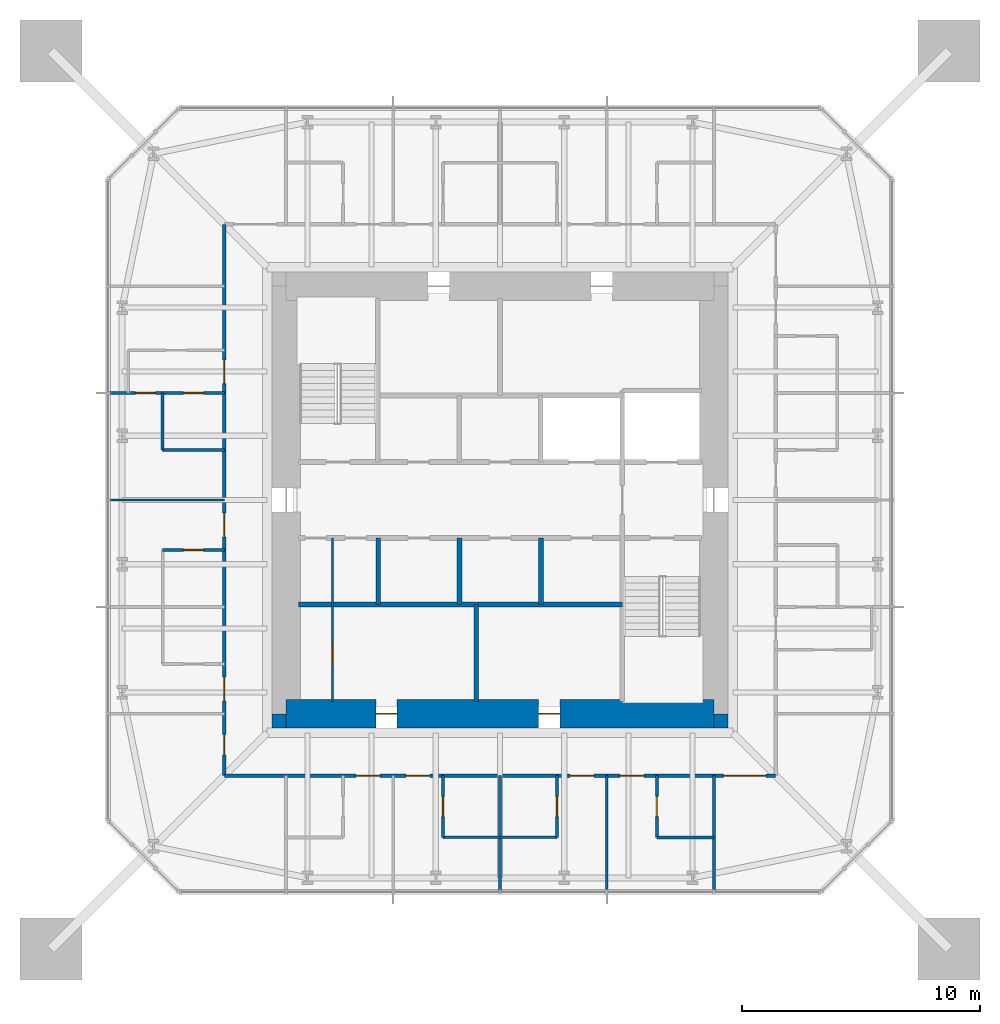
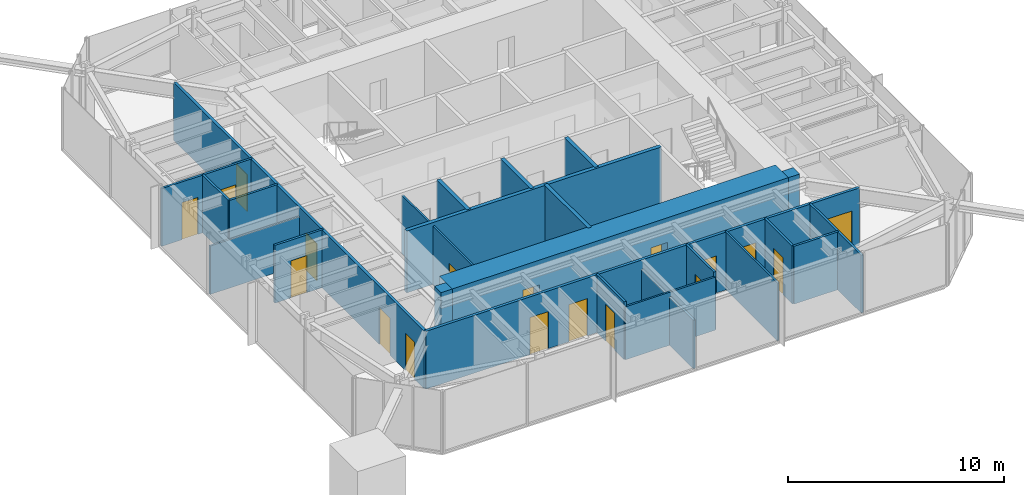
# One storey, part 6 of 10: 24 walls, 18 doors, 18 openings.
"""IFC4 building model written with IfcOpenShell, lengths in metres."""

from ifc_helpers import new_model, si_unit, direction, frame, frame_2d, origin, place, context, subcontext, project, spatial, rectangle, extrude, material, layer, layer_set, type_object, element, fill, save


model = new_model("IFC4")

# Units and contexts
model_context = context("Model", 3, precision=1e-05, world=origin(), true_north=direction((0.0, 1.0)))
body_context = subcontext(model_context, "Body", "Model", "MODEL_VIEW")
ifc_project = project(units=[si_unit("LENGTHUNIT", "METRE"), si_unit("AREAUNIT", "SQUARE_METRE"), si_unit("VOLUMEUNIT", "CUBIC_METRE"), si_unit("PLANEANGLEUNIT", "RADIAN"), si_unit("MASSUNIT", "GRAM", prefix="KILO")], contexts=[model_context])

# Site, building, storey
site_placement = place(None, origin())
site = spatial("IfcSite", under=ifc_project, at=site_placement, CompositionType="ELEMENT")
building_placement = place(site_placement, origin())
building = spatial("IfcBuilding", under=site, at=building_placement, Name="Iwan Alto Co-Living Towers", CompositionType="ELEMENT")
storey_placement = place(building_placement, frame((0.0, 0.0, 218.5)))
storey = spatial("IfcBuildingStorey", under=building, at=storey_placement, Name="L59", CompositionType="ELEMENT", Elevation=218.5)

# Wall, openings, doors
ifc_material_1 = material(Name="Gypsum board")
ifc_layer_1 = layer(ifc_material_1, 0.02490234375, Name="Board", Category="Finish")
ifc_material_2 = material(Name="Steel ASTM A1003 ST33H cold-formed studs", Category="steel")
ifc_layer_2 = layer(ifc_material_2, 0.10009765625, Name="Studs", Category="Framing")
ifc_layer_3 = layer(ifc_material_1, 0.02490234375, Name="Board", Category="Finish")
ifc_layer_set_1 = layer_set([ifc_layer_1, ifc_layer_2, ifc_layer_3], Name="CORRIDOR WALL 150")
wall_type_1 = type_object("IfcWallType", Name="CORRIDOR WALL 150", PredefinedType="PARTITIONING", material=ifc_layer_set_1)
wall_1_placement = place(storey_placement, frame((-11.60009765625, -11.60009765625, 0.0), z_axis=(0.0, 0.0, 1.0), x_axis=(1.0, 0.0, 0.0)))
wall_1 = element("IfcWall", 1, at=wall_1_placement, inside=storey, type_object=wall_type_1, Name="Partition L59", PredefinedType="PARTITIONING", context=body_context, shape_type="SweptSolid", body=[
    extrude(rectangle(XDim=23.2001953125, YDim=0.14990234375, at=frame_2d((11.60009765625, 0.0))), origin(), (0.0, 0.0, 1.0), 3.27001953125),
])
opening_1_placement = place(wall_1_placement, frame((5.550048828125, 0.0, 0.0)))
opening_1 = element("IfcOpeningElement", 2, at=opening_1_placement, cuts=wall_1, Name="Opening D3", PredefinedType="OPENING", context=body_context, shape_type="SweptSolid", body=[
    extrude(rectangle(XDim=1.0, YDim=2.10009765625, at=frame_2d((0.5, 1.050048828125))), frame((0.0, 0.0849609375, 0.0), z_axis=(0.0, -1.0, 0.0), x_axis=(1.0, 0.0, 0.0)), (0.0, 0.0, 1.0), 0.169921875),
])
opening_2_placement = place(wall_1_placement, frame((7.64990234375, 0.0, 0.0)))
opening_2 = element("IfcOpeningElement", 3, at=opening_2_placement, cuts=wall_1, Name="Opening D3", PredefinedType="OPENING", context=body_context, shape_type="SweptSolid", body=[
    extrude(rectangle(XDim=1.0, YDim=2.10009765625, at=frame_2d((0.5, 1.050048828125))), frame((0.0, 0.0849609375, 0.0), z_axis=(0.0, -1.0, 0.0), x_axis=(1.0, 0.0, 0.0)), (0.0, 0.0, 1.0), 0.169921875),
])
opening_3_placement = place(wall_1_placement, frame((14.550048828125, 0.0, 0.0)))
opening_3 = element("IfcOpeningElement", 4, at=opening_3_placement, cuts=wall_1, Name="Opening D3", PredefinedType="OPENING", context=body_context, shape_type="SweptSolid", body=[
    extrude(rectangle(XDim=1.0, YDim=2.10009765625, at=frame_2d((0.5, 1.050048828125))), frame((0.0, 0.0849609375, 0.0), z_axis=(0.0, -1.0, 0.0), x_axis=(1.0, 0.0, 0.0)), (0.0, 0.0, 1.0), 0.169921875),
])
opening_4_placement = place(wall_1_placement, frame((16.64990234375, 0.0, 0.0)))
opening_4 = element("IfcOpeningElement", 5, at=opening_4_placement, cuts=wall_1, Name="Opening D3", PredefinedType="OPENING", context=body_context, shape_type="SweptSolid", body=[
    extrude(rectangle(XDim=1.0, YDim=2.10009765625, at=frame_2d((0.5, 1.050048828125))), frame((0.0, 0.0849609375, 0.0), z_axis=(0.0, -1.0, 0.0), x_axis=(1.0, 0.0, 0.0)), (0.0, 0.0, 1.0), 0.169921875),
])
opening_5_placement = place(wall_1_placement, frame((21.0, 0.0, 0.0)))
opening_5 = element("IfcOpeningElement", 6, at=opening_5_placement, cuts=wall_1, Name="Opening D9", PredefinedType="OPENING", context=body_context, shape_type="SweptSolid", body=[
    extrude(rectangle(XDim=1.800048828125, YDim=2.10009765625, at=frame_2d((0.89990234375, 1.050048828125))), frame((0.0, 0.0849609375, 0.0), z_axis=(0.0, -1.0, 0.0), x_axis=(1.0, 0.0, 0.0)), (0.0, 0.0, 1.0), 0.169921875),
])
ifc_material_3 = material(Name="Steel frame with timber leaf", Category="steel")
door_type_1 = type_object("IfcDoorType", Name="FLAT ENTRANCE DOOR FD30S 1000X2100", OperationType="SINGLE_SWING_LEFT", PredefinedType="DOOR", material=ifc_material_3)
door_1_placement = place(opening_1_placement, frame((1.0, 0.0, 0.0), z_axis=(0.0, 0.0, 1.0), x_axis=(-1.0, 0.0, 0.0)))
door_1 = element("IfcDoor", 7, at=door_1_placement, inside=storey, type_object=door_type_1, Name="Studio door L59", OperationType="SINGLE_SWING_RIGHT", OverallHeight=2.10009765625, OverallWidth=1.0, PredefinedType="DOOR", context=body_context, shape_type="SweptSolid", body=[
    extrude(rectangle(XDim=1.0, YDim=2.10009765625, at=frame_2d((0.5, 1.050048828125))), frame((0.0, 0.02490234375, 0.0), z_axis=(0.0, -1.0, 0.0), x_axis=(1.0, 0.0, 0.0)), (0.0, 0.0, 1.0), 0.050048828125),
])
fill(opening_1, door_1)
door_2_placement = place(opening_2_placement, frame((1.0, 0.0, 0.0), z_axis=(0.0, 0.0, 1.0), x_axis=(-1.0, 0.0, 0.0)))
door_2 = element("IfcDoor", 8, at=door_2_placement, inside=storey, type_object=door_type_1, Name="Studio door L59", OperationType="SINGLE_SWING_RIGHT", OverallHeight=2.10009765625, OverallWidth=1.0, PredefinedType="DOOR", context=body_context, shape_type="SweptSolid", body=[
    extrude(rectangle(XDim=1.0, YDim=2.10009765625, at=frame_2d((0.5, 1.050048828125))), frame((0.0, 0.02490234375, 0.0), z_axis=(0.0, -1.0, 0.0), x_axis=(1.0, 0.0, 0.0)), (0.0, 0.0, 1.0), 0.050048828125),
])
fill(opening_2, door_2)
door_3_placement = place(opening_3_placement, frame((1.0, 0.0, 0.0), z_axis=(0.0, 0.0, 1.0), x_axis=(-1.0, 0.0, 0.0)))
door_3 = element("IfcDoor", 9, at=door_3_placement, inside=storey, type_object=door_type_1, Name="Studio door L59", OperationType="SINGLE_SWING_RIGHT", OverallHeight=2.10009765625, OverallWidth=1.0, PredefinedType="DOOR", context=body_context, shape_type="SweptSolid", body=[
    extrude(rectangle(XDim=1.0, YDim=2.10009765625, at=frame_2d((0.5, 1.050048828125))), frame((0.0, 0.02490234375, 0.0), z_axis=(0.0, -1.0, 0.0), x_axis=(1.0, 0.0, 0.0)), (0.0, 0.0, 1.0), 0.050048828125),
])
fill(opening_3, door_3)
door_4_placement = place(opening_4_placement, frame((1.0, 0.0, 0.0), z_axis=(0.0, 0.0, 1.0), x_axis=(-1.0, 0.0, 0.0)))
door_4 = element("IfcDoor", 10, at=door_4_placement, inside=storey, type_object=door_type_1, Name="Studio door L59", OperationType="SINGLE_SWING_RIGHT", OverallHeight=2.10009765625, OverallWidth=1.0, PredefinedType="DOOR", context=body_context, shape_type="SweptSolid", body=[
    extrude(rectangle(XDim=1.0, YDim=2.10009765625, at=frame_2d((0.5, 1.050048828125))), frame((0.0, 0.02490234375, 0.0), z_axis=(0.0, -1.0, 0.0), x_axis=(1.0, 0.0, 0.0)), (0.0, 0.0, 1.0), 0.050048828125),
])
fill(opening_4, door_4)
ifc_material_4 = material(Name="Steel frame with timber leaf", Category="steel")
door_type_2 = type_object("IfcDoorType", Name="LOUNGE DOOR FD30S 1800X2100", OperationType="DOUBLE_DOOR_SINGLE_SWING", PredefinedType="DOOR", material=ifc_material_4)
door_5_placement = place(opening_5_placement, frame((1.800048828125, 0.0, 0.0), z_axis=(0.0, 0.0, 1.0), x_axis=(-1.0, 0.0, 0.0)))
door_5 = element("IfcDoor", 11, at=door_5_placement, inside=storey, type_object=door_type_2, Name="Courtyard lounge door L59", OperationType="DOUBLE_DOOR_SINGLE_SWING", OverallHeight=2.10009765625, OverallWidth=1.800048828125, PredefinedType="DOOR", context=body_context, shape_type="SweptSolid", body=[
    extrude(rectangle(XDim=1.800048828125, YDim=2.10009765625, at=frame_2d((0.89990234375, 1.050048828125))), frame((0.0, 0.02490234375, 0.0), z_axis=(0.0, -1.0, 0.0), x_axis=(1.0, 0.0, 0.0)), (0.0, 0.0, 1.0), 0.050048828125),
])
fill(opening_5, door_5)

wall_2_placement = place(storey_placement, frame((-11.60009765625, -11.60009765625, 0.0), z_axis=(0.0, 0.0, 1.0), x_axis=(0.0, 1.0, 0.0)))
wall_2 = element("IfcWall", 12, at=wall_2_placement, inside=storey, type_object=wall_type_1, Name="Partition L59", PredefinedType="PARTITIONING", context=body_context, shape_type="SweptSolid", body=[
    extrude(rectangle(XDim=23.2001953125, YDim=0.14990234375, at=frame_2d((11.60009765625, 0.0))), origin(), (0.0, 0.0, 1.0), 3.27001953125),
])
opening_6_placement = place(wall_2_placement, frame((16.5, 0.0, 0.0)))
opening_6 = element("IfcOpeningElement", 13, at=opening_6_placement, cuts=wall_2, Name="Opening D3", PredefinedType="OPENING", context=body_context, shape_type="SweptSolid", body=[
    extrude(rectangle(XDim=1.0, YDim=2.10009765625, at=frame_2d((0.5, 1.050048828125))), frame((0.0, 0.0849609375, 0.0), z_axis=(0.0, -1.0, 0.0), x_axis=(1.0, 0.0, 0.0)), (0.0, 0.0, 1.0), 0.169921875),
])
opening_7_placement = place(wall_2_placement, frame((10.050048828125, 0.0, 0.0)))
opening_7 = element("IfcOpeningElement", 14, at=opening_7_placement, cuts=wall_2, Name="Opening D3", PredefinedType="OPENING", context=body_context, shape_type="SweptSolid", body=[
    extrude(rectangle(XDim=1.0, YDim=2.10009765625, at=frame_2d((0.5, 1.050048828125))), frame((0.0, 0.0849609375, 0.0), z_axis=(0.0, -1.0, 0.0), x_axis=(1.0, 0.0, 0.0)), (0.0, 0.0, 1.0), 0.169921875),
])
opening_8_placement = place(wall_2_placement, frame((3.14990234375, 0.0, 0.0)))
opening_8 = element("IfcOpeningElement", 15, at=opening_8_placement, cuts=wall_2, Name="Opening D3", PredefinedType="OPENING", context=body_context, shape_type="SweptSolid", body=[
    extrude(rectangle(XDim=1.0, YDim=2.10009765625, at=frame_2d((0.5, 1.050048828125))), frame((0.0, 0.0849609375, 0.0), z_axis=(0.0, -1.0, 0.0), x_axis=(1.0, 0.0, 0.0)), (0.0, 0.0, 1.0), 0.169921875),
])
opening_9_placement = place(wall_2_placement, frame((0.875, 0.0, 0.0)))
opening_9 = element("IfcOpeningElement", 16, at=opening_9_placement, cuts=wall_2, Name="Opening D2", PredefinedType="OPENING", context=body_context, shape_type="SweptSolid", body=[
    extrude(rectangle(XDim=0.85009765625, YDim=2.10009765625, at=frame_2d((0.425048828125, 1.050048828125))), frame((0.0, 0.0849609375, 0.0), z_axis=(0.0, -1.0, 0.0), x_axis=(1.0, 0.0, 0.0)), (0.0, 0.0, 1.0), 0.169921875),
])
door_6_placement = place(opening_6_placement, origin())
door_6 = element("IfcDoor", 17, at=door_6_placement, inside=storey, type_object=door_type_1, Name="Apartment foyer door L59", OperationType="SINGLE_SWING_LEFT", OverallHeight=2.10009765625, OverallWidth=1.0, PredefinedType="DOOR", context=body_context, shape_type="SweptSolid", body=[
    extrude(rectangle(XDim=1.0, YDim=2.10009765625, at=frame_2d((0.5, 1.050048828125))), frame((0.0, 0.02490234375, 0.0), z_axis=(0.0, -1.0, 0.0), x_axis=(1.0, 0.0, 0.0)), (0.0, 0.0, 1.0), 0.050048828125),
])
fill(opening_6, door_6)
door_7_placement = place(opening_7_placement, origin())
door_7 = element("IfcDoor", 18, at=door_7_placement, inside=storey, type_object=door_type_1, Name="Studio door L59", OperationType="SINGLE_SWING_LEFT", OverallHeight=2.10009765625, OverallWidth=1.0, PredefinedType="DOOR", context=body_context, shape_type="SweptSolid", body=[
    extrude(rectangle(XDim=1.0, YDim=2.10009765625, at=frame_2d((0.5, 1.050048828125))), frame((0.0, 0.02490234375, 0.0), z_axis=(0.0, -1.0, 0.0), x_axis=(1.0, 0.0, 0.0)), (0.0, 0.0, 1.0), 0.050048828125),
])
fill(opening_7, door_7)
door_8_placement = place(opening_8_placement, origin())
door_8 = element("IfcDoor", 19, at=door_8_placement, inside=storey, type_object=door_type_1, Name="Studio door L59", OperationType="SINGLE_SWING_LEFT", OverallHeight=2.10009765625, OverallWidth=1.0, PredefinedType="DOOR", context=body_context, shape_type="SweptSolid", body=[
    extrude(rectangle(XDim=1.0, YDim=2.10009765625, at=frame_2d((0.5, 1.050048828125))), frame((0.0, 0.02490234375, 0.0), z_axis=(0.0, -1.0, 0.0), x_axis=(1.0, 0.0, 0.0)), (0.0, 0.0, 1.0), 0.050048828125),
])
fill(opening_8, door_8)
ifc_material_5 = material(Name="Timber leaf in steel frame", Category="steel")
door_type_3 = type_object("IfcDoorType", Name="ROOM DOOR 850X2100", OperationType="SINGLE_SWING_LEFT", PredefinedType="DOOR", material=ifc_material_5)
door_9_placement = place(opening_9_placement, origin())
door_9 = element("IfcDoor", 20, at=door_9_placement, inside=storey, type_object=door_type_3, Name="Shared kitchen and lounge door L59", OperationType="SINGLE_SWING_RIGHT", OverallHeight=2.10009765625, OverallWidth=0.85009765625, PredefinedType="DOOR", context=body_context, shape_type="SweptSolid", body=[
    extrude(rectangle(XDim=0.85009765625, YDim=2.10009765625, at=frame_2d((0.425048828125, 1.050048828125))), frame((0.0, 0.02490234375, 0.0), z_axis=(0.0, -1.0, 0.0), x_axis=(1.0, 0.0, 0.0)), (0.0, 0.0, 1.0), 0.050048828125),
])
fill(opening_9, door_9)

# Walls
ifc_layer_4 = layer(ifc_material_1, 0.012451171875, Name="Board", Category="Finish")
ifc_layer_5 = layer(ifc_material_2, 0.074951171875, Name="Studs", Category="Framing")
ifc_layer_6 = layer(ifc_material_1, 0.012451171875, Name="Board", Category="Finish")
ifc_layer_set_2 = layer_set([ifc_layer_4, ifc_layer_5, ifc_layer_6], Name="PARTITION 100")
wall_type_2 = type_object("IfcWallType", Name="PARTITION 100", PredefinedType="PARTITIONING", material=ifc_layer_set_2)
wall_3_placement = place(storey_placement, frame((-2.39990234375, -14.199951171875, 0.0), z_axis=(0.0, 0.0, 1.0), x_axis=(1.0, 0.0, 0.0)))
element("IfcWall", 21, at=wall_3_placement, inside=storey, type_object=wall_type_2, Name="Partition L59", PredefinedType="PARTITIONING", context=body_context, shape_type="SweptSolid", body=[
    extrude(rectangle(XDim=4.7998046875, YDim=0.10009765625, at=frame_2d((2.39990234375, 0.0))), origin(), (0.0, 0.0, 1.0), 3.0),
])
wall_4_placement = place(storey_placement, frame((-16.43994140625, 0.0, 0.0), z_axis=(0.0, 0.0, 1.0), x_axis=(1.0, 0.0, 0.0)))
element("IfcWall", 22, at=wall_4_placement, inside=storey, type_object=wall_type_2, Name="Partition L59", PredefinedType="PARTITIONING", context=body_context, shape_type="SweptSolid", body=[
    extrude(rectangle(XDim=4.83984375, YDim=0.10009765625, at=frame_2d((2.419921875, 0.0))), origin(), (0.0, 0.0, 1.0), 2.736572265625),
])
wall_5_placement = place(storey_placement, frame((4.5, -16.43994140625, 0.0), z_axis=(0.0, 0.0, 1.0), x_axis=(0.0, 1.0, 0.0)))
element("IfcWall", 23, at=wall_5_placement, inside=storey, type_object=wall_type_2, Name="Partition L59", PredefinedType="PARTITIONING", context=body_context, shape_type="SweptSolid", body=[
    extrude(rectangle(XDim=4.83984375, YDim=0.10009765625, at=frame_2d((2.419921875, 0.0))), origin(), (0.0, 0.0, 1.0), 3.27001953125),
])

# Wall, opening, door
wall_6_placement = place(storey_placement, frame((-7.050048828125, -8.489990234375, 0.0), z_axis=(0.0, 0.0, 1.0), x_axis=(0.0, 1.0, 0.0)))
wall_6 = element("IfcWall", 24, at=wall_6_placement, inside=storey, type_object=wall_type_2, Name="Partition L59", PredefinedType="PARTITIONING", context=body_context, shape_type="SweptSolid", body=[
    extrude(rectangle(XDim=6.889892578125, YDim=0.10009765625, at=frame_2d((3.44482421875, 0.0))), origin(), (0.0, 0.0, 1.0), 3.300048828125),
])
opening_10_placement = place(wall_6_placement, frame((1.594970703125, 0.0, 0.0)))
opening_10 = element("IfcOpeningElement", 25, at=opening_10_placement, cuts=wall_6, Name="Opening D16", PredefinedType="OPENING", context=body_context, shape_type="SweptSolid", body=[
    extrude(rectangle(XDim=0.89990234375, YDim=2.10009765625, at=frame_2d((0.449951171875, 1.050048828125))), frame((0.0, 0.06005859375, 0.0), z_axis=(0.0, -1.0, 0.0), x_axis=(1.0, 0.0, 0.0)), (0.0, 0.0, 1.0), 0.1201171875),
])
ifc_material_6 = material(Name="Timber leaf in steel frame", Category="steel")
door_type_4 = type_object("IfcDoorType", Name="CUPBOARD SLIDING DOOR 900X2100", OperationType="SLIDING_TO_LEFT", PredefinedType="DOOR", material=ifc_material_6)
door_10_placement = place(opening_10_placement, origin())
door_10 = element("IfcDoor", 26, at=door_10_placement, inside=storey, type_object=door_type_4, Name="Bulky waste store door L59", OperationType="SLIDING_TO_RIGHT", OverallHeight=2.10009765625, OverallWidth=0.89990234375, PredefinedType="DOOR", context=body_context, shape_type="SweptSolid", body=[
    extrude(rectangle(XDim=0.89990234375, YDim=2.10009765625, at=frame_2d((0.449951171875, 1.050048828125))), frame((0.0, 0.02490234375, 0.0), z_axis=(0.0, -1.0, 0.0), x_axis=(1.0, 0.0, 0.0)), (0.0, 0.0, 1.0), 0.050048828125),
])
fill(opening_10, door_10)

# Walls
ifc_material_7 = material(Name="Concrete f'c 70 MPa", Category="concrete")
ifc_layer_7 = layer(ifc_material_7, 0.199951171875)
ifc_layer_set_3 = layer_set([ifc_layer_7], Name="SHAFT WALL 200")
wall_type_3 = type_object("IfcWallType", Name="SHAFT WALL 200", PredefinedType="SOLIDWALL", material=ifc_layer_set_3)
wall_7_placement = place(storey_placement, frame((-8.489990234375, -4.39990234375, 0.0), z_axis=(0.0, 0.0, 1.0), x_axis=(1.0, 0.0, 0.0)))
element("IfcWall", 27, at=wall_7_placement, inside=storey, type_object=wall_type_3, Name="Shaft wall L59", PredefinedType="SOLIDWALL", context=body_context, shape_type="SweptSolid", body=[
    extrude(rectangle(XDim=13.639892578125, YDim=0.199951171875, at=frame_2d((6.81982421875, 0.0))), origin(), (0.0, 0.0, 1.0), 3.5),
])
wall_8_placement = place(storey_placement, frame((1.72509765625, -4.39990234375, 0.0), z_axis=(0.0, 0.0, 1.0), x_axis=(0.0, 1.0, 0.0)))
element("IfcWall", 28, at=wall_8_placement, inside=storey, type_object=wall_type_3, Name="Shaft wall L59", PredefinedType="SOLIDWALL", context=body_context, shape_type="SweptSolid", body=[
    extrude(rectangle(XDim=2.7998046875, YDim=0.199951171875, at=frame_2d((1.39990234375, 0.0))), origin(), (0.0, 0.0, 1.0), 3.5),
])
wall_9_placement = place(storey_placement, frame((-1.0, -8.489990234375, 0.0), z_axis=(0.0, 0.0, 1.0), x_axis=(0.0, 1.0, 0.0)))
element("IfcWall", 29, at=wall_9_placement, inside=storey, type_object=wall_type_3, Name="Shaft wall L59", PredefinedType="SOLIDWALL", context=body_context, shape_type="SweptSolid", body=[
    extrude(rectangle(XDim=4.090087890625, YDim=0.199951171875, at=frame_2d((2.044921875, 0.0))), origin(), (0.0, 0.0, 1.0), 3.5),
])
for number, where, z_axis, x_axis, name in (
    (30, (-1.699951171875, -4.39990234375, 0.0), (0.0, 0.0, 1.0), (0.0, 1.0, 0.0), "Shaft wall L59"),
    (31, (-5.125, -4.39990234375, 0.0), (0.0, 0.0, 1.0), (0.0, 1.0, 0.0), "Shaft wall L59"),
):
    element("IfcWall", number, at=place(storey_placement, frame(where, z_axis=z_axis, x_axis=x_axis)), inside=storey, type_object=wall_type_3, Name=name, PredefinedType="SOLIDWALL", context=body_context, shape_type="SweptSolid", body=[
        extrude(rectangle(XDim=2.7998046875, YDim=0.199951171875, at=frame_2d((1.39990234375, 0.0))), origin(), (0.0, 0.0, 1.0), 3.5),
    ])
ifc_material_8 = material(Name="Concrete f'c 70 MPa", Category="concrete")
ifc_layer_8 = layer(ifc_material_8, 0.60009765625)
ifc_layer_set_4 = layer_set([ifc_layer_8], Name="T1 CORE CORNER FILL 600")
wall_type_4 = type_object("IfcWallType", Name="T1 CORE CORNER FILL 600", PredefinedType="SOLIDWALL", material=ifc_layer_set_4)
for number, where, z_axis, x_axis, name in (
    (32, (-9.60009765625, -9.300048828125, 0.0), (0.0, 0.0, 1.0), (1.0, 0.0, 0.0), "T1 core corner SW L59"),
    (33, (9.0, -9.300048828125, 0.0), (0.0, 0.0, 1.0), (1.0, 0.0, 0.0), "T1 core corner SE L59"),
):
    element("IfcWall", number, at=place(storey_placement, frame(where, z_axis=z_axis, x_axis=x_axis)), inside=storey, type_object=wall_type_4, Name=name, PredefinedType="SOLIDWALL", context=body_context, shape_type="SweptSolid", body=[
        extrude(rectangle(XDim=0.60009765625, YDim=0.60009765625, at=frame_2d((0.300048828125, 0.0))), origin(), (0.0, 0.0, 1.0), 3.5),
    ])

# Wall, openings, doors
ifc_material_9 = material(Name="Concrete f'c 70 MPa", Category="concrete")
ifc_layer_9 = layer(ifc_material_9, 1.199951171875)
ifc_layer_set_5 = layer_set([ifc_layer_9], Name="T1 CORE WALL 1200")
wall_type_5 = type_object("IfcWallType", Name="T1 CORE WALL 1200", PredefinedType="SHEAR", material=ifc_layer_set_5)
wall_10_placement = place(storey_placement, frame((-9.0, -9.0, 0.0), z_axis=(0.0, 0.0, 1.0), x_axis=(1.0, 0.0, 0.0)))
wall_10 = element("IfcWall", 34, at=wall_10_placement, inside=storey, type_object=wall_type_5, Name="T1 core wall S L59", PredefinedType="SHEAR", context=body_context, shape_type="SweptSolid", body=[
    extrude(rectangle(XDim=18.0, YDim=1.199951171875, at=frame_2d((9.0, 0.0))), origin(), (0.0, 0.0, 1.0), 3.5),
])
opening_11_placement = place(wall_10_placement, frame((3.77490234375, 0.0, 0.0)))
opening_11 = element("IfcOpeningElement", 35, at=opening_11_placement, cuts=wall_10, Name="Opening D8", PredefinedType="OPENING", context=body_context, shape_type="SweptSolid", body=[
    extrude(rectangle(XDim=0.89990234375, YDim=2.10009765625, at=frame_2d((0.449951171875, 1.050048828125))), frame((0.0, 0.60986328125, 0.0), z_axis=(0.0, -1.0, 0.0), x_axis=(1.0, 0.0, 0.0)), (0.0, 0.0, 1.0), 1.219970703125),
])
opening_12_placement = place(wall_10_placement, frame((10.625, 0.0, 0.0)))
opening_12 = element("IfcOpeningElement", 36, at=opening_12_placement, cuts=wall_10, Name="Opening D8", PredefinedType="OPENING", context=body_context, shape_type="SweptSolid", body=[
    extrude(rectangle(XDim=0.89990234375, YDim=2.10009765625, at=frame_2d((0.449951171875, 1.050048828125))), frame((0.0, 0.60986328125, 0.0), z_axis=(0.0, -1.0, 0.0), x_axis=(1.0, 0.0, 0.0)), (0.0, 0.0, 1.0), 1.219970703125),
])
ifc_material_10 = material(Name="Steel frame with timber leaf", Category="steel")
door_type_5 = type_object("IfcDoorType", Name="RISER DOOR FD120 900X2100", OperationType="SINGLE_SWING_LEFT", PredefinedType="DOOR", material=ifc_material_10)
door_11_placement = place(opening_11_placement, origin())
door_11 = element("IfcDoor", 37, at=door_11_placement, inside=storey, type_object=door_type_5, Name="Refuse room core door L59", OperationType="SINGLE_SWING_LEFT", OverallHeight=2.10009765625, OverallWidth=0.89990234375, PredefinedType="DOOR", context=body_context, shape_type="SweptSolid", body=[
    extrude(rectangle(XDim=0.89990234375, YDim=2.10009765625, at=frame_2d((0.449951171875, 1.050048828125))), frame((0.0, 0.02490234375, 0.0), z_axis=(0.0, -1.0, 0.0), x_axis=(1.0, 0.0, 0.0)), (0.0, 0.0, 1.0), 0.050048828125),
])
fill(opening_11, door_11)
door_12_placement = place(opening_12_placement, origin())
door_12 = element("IfcDoor", 38, at=door_12_placement, inside=storey, type_object=door_type_5, Name="Telecom riser core door L59", OperationType="SINGLE_SWING_LEFT", OverallHeight=2.10009765625, OverallWidth=0.89990234375, PredefinedType="DOOR", context=body_context, shape_type="SweptSolid", body=[
    extrude(rectangle(XDim=0.89990234375, YDim=2.10009765625, at=frame_2d((0.449951171875, 1.050048828125))), frame((0.0, 0.02490234375, 0.0), z_axis=(0.0, -1.0, 0.0), x_axis=(1.0, 0.0, 0.0)), (0.0, 0.0, 1.0), 0.050048828125),
])
fill(opening_12, door_12)

# Wall
ifc_material_11 = material(Name="Cement board")
ifc_layer_10 = layer(ifc_material_11, 0.012451171875, Name="Board", Category="Finish")
ifc_layer_11 = layer(ifc_material_2, 0.094970703125, Name="Studs", Category="Framing")
ifc_layer_12 = layer(ifc_material_11, 0.012451171875, Name="Board", Category="Finish")
ifc_layer_set_6 = layer_set([ifc_layer_10, ifc_layer_11, ifc_layer_12], Name="WET AREA PARTITION 120")
wall_type_6 = type_object("IfcWallType", Name="WET AREA PARTITION 120", PredefinedType="PARTITIONING", material=ifc_layer_set_6)
wall_11_placement = place(storey_placement, frame((6.60009765625, -14.199951171875, 0.0), z_axis=(0.0, 0.0, 1.0), x_axis=(1.0, 0.0, 0.0)))
element("IfcWall", 39, at=wall_11_placement, inside=storey, type_object=wall_type_6, Name="Partition L59", PredefinedType="PARTITIONING", context=body_context, shape_type="SweptSolid", body=[
    extrude(rectangle(XDim=2.39990234375, YDim=0.1201171875, at=frame_2d((1.199951171875, 0.0))), origin(), (0.0, 0.0, 1.0), 3.27001953125),
])

# Wall, opening, door
wall_12_placement = place(storey_placement, frame((-14.199951171875, -2.10009765625, 0.0), z_axis=(0.0, 0.0, 1.0), x_axis=(1.0, 0.0, 0.0)))
wall_12 = element("IfcWall", 40, at=wall_12_placement, inside=storey, type_object=wall_type_6, Name="Partition L59", PredefinedType="PARTITIONING", context=body_context, shape_type="SweptSolid", body=[
    extrude(rectangle(XDim=2.599853515625, YDim=0.1201171875, at=frame_2d((1.2998046875, 0.0))), origin(), (0.0, 0.0, 1.0), 3.27001953125),
])
opening_13_placement = place(wall_12_placement, frame((0.875, 0.0, 0.0)))
opening_13 = element("IfcOpeningElement", 41, at=opening_13_placement, cuts=wall_12, Name="Opening D2", PredefinedType="OPENING", context=body_context, shape_type="SweptSolid", body=[
    extrude(rectangle(XDim=0.85009765625, YDim=2.10009765625, at=frame_2d((0.425048828125, 1.050048828125))), frame((0.0, 0.070068359375, 0.0), z_axis=(0.0, -1.0, 0.0), x_axis=(1.0, 0.0, 0.0)), (0.0, 0.0, 1.0), 0.14013671875),
])
door_13_placement = place(opening_13_placement, origin())
door_13 = element("IfcDoor", 42, at=door_13_placement, inside=storey, type_object=door_type_3, Name="En-suite shower room door L59", OperationType="SINGLE_SWING_RIGHT", OverallHeight=2.10009765625, OverallWidth=0.85009765625, PredefinedType="DOOR", context=body_context, shape_type="SweptSolid", body=[
    extrude(rectangle(XDim=0.85009765625, YDim=2.10009765625, at=frame_2d((0.425048828125, 1.050048828125))), frame((0.0, 0.02490234375, 0.0), z_axis=(0.0, -1.0, 0.0), x_axis=(1.0, 0.0, 0.0)), (0.0, 0.0, 1.0), 0.050048828125),
])
fill(opening_13, door_13)

# Wall
wall_13_placement = place(storey_placement, frame((-14.199951171875, 2.10009765625, 0.0), z_axis=(0.0, 0.0, 1.0), x_axis=(1.0, 0.0, 0.0)))
element("IfcWall", 43, at=wall_13_placement, inside=storey, type_object=wall_type_6, Name="Partition L59", PredefinedType="PARTITIONING", context=body_context, shape_type="SweptSolid", body=[
    extrude(rectangle(XDim=2.599853515625, YDim=0.1201171875, at=frame_2d((1.2998046875, 0.0))), origin(), (0.0, 0.0, 1.0), 3.27001953125),
])

# Wall, openings, doors
wall_14_placement = place(storey_placement, frame((-16.43994140625, 4.5, 0.0), z_axis=(0.0, 0.0, 1.0), x_axis=(1.0, 0.0, 0.0)))
wall_14 = element("IfcWall", 44, at=wall_14_placement, inside=storey, type_object=wall_type_6, Name="Partition L59", PredefinedType="PARTITIONING", context=body_context, shape_type="SweptSolid", body=[
    extrude(rectangle(XDim=4.83984375, YDim=0.1201171875, at=frame_2d((2.419921875, 0.0))), origin(), (0.0, 0.0, 1.0), 3.27001953125),
])
opening_14_placement = place(wall_14_placement, frame((1.090087890625, 0.0, 0.0)))
opening_14 = element("IfcOpeningElement", 45, at=opening_14_placement, cuts=wall_14, Name="Opening D2", PredefinedType="OPENING", context=body_context, shape_type="SweptSolid", body=[
    extrude(rectangle(XDim=0.85009765625, YDim=2.10009765625, at=frame_2d((0.425048828125, 1.050048828125))), frame((0.0, 0.070068359375, 0.0), z_axis=(0.0, -1.0, 0.0), x_axis=(1.0, 0.0, 0.0)), (0.0, 0.0, 1.0), 0.14013671875),
])
opening_15_placement = place(wall_14_placement, frame((3.114990234375, 0.0, 0.0)))
opening_15 = element("IfcOpeningElement", 46, at=opening_15_placement, cuts=wall_14, Name="Opening D2", PredefinedType="OPENING", context=body_context, shape_type="SweptSolid", body=[
    extrude(rectangle(XDim=0.85009765625, YDim=2.10009765625, at=frame_2d((0.425048828125, 1.050048828125))), frame((0.0, 0.070068359375, 0.0), z_axis=(0.0, -1.0, 0.0), x_axis=(1.0, 0.0, 0.0)), (0.0, 0.0, 1.0), 0.14013671875),
])
door_14_placement = place(opening_14_placement, frame((0.85009765625, 0.0, 0.0), z_axis=(0.0, 0.0, 1.0), x_axis=(-1.0, 0.0, 0.0)))
door_14 = element("IfcDoor", 47, at=door_14_placement, inside=storey, type_object=door_type_3, Name="Bedroom door L59", OperationType="SINGLE_SWING_LEFT", OverallHeight=2.10009765625, OverallWidth=0.85009765625, PredefinedType="DOOR", context=body_context, shape_type="SweptSolid", body=[
    extrude(rectangle(XDim=0.85009765625, YDim=2.10009765625, at=frame_2d((0.425048828125, 1.050048828125))), frame((0.0, 0.02490234375, 0.0), z_axis=(0.0, -1.0, 0.0), x_axis=(1.0, 0.0, 0.0)), (0.0, 0.0, 1.0), 0.050048828125),
])
fill(opening_14, door_14)
door_15_placement = place(opening_15_placement, frame((0.85009765625, 0.0, 0.0), z_axis=(0.0, 0.0, 1.0), x_axis=(-1.0, 0.0, 0.0)))
door_15 = element("IfcDoor", 48, at=door_15_placement, inside=storey, type_object=door_type_3, Name="Bathroom door L59", OperationType="SINGLE_SWING_RIGHT", OverallHeight=2.10009765625, OverallWidth=0.85009765625, PredefinedType="DOOR", context=body_context, shape_type="SweptSolid", body=[
    extrude(rectangle(XDim=0.85009765625, YDim=2.10009765625, at=frame_2d((0.425048828125, 1.050048828125))), frame((0.0, 0.02490234375, 0.0), z_axis=(0.0, -1.0, 0.0), x_axis=(1.0, 0.0, 0.0)), (0.0, 0.0, 1.0), 0.050048828125),
])
fill(opening_15, door_15)

# Wall
wall_15_placement = place(storey_placement, frame((9.0, -16.43994140625, 0.0), z_axis=(0.0, 0.0, 1.0), x_axis=(0.0, 1.0, 0.0)))
element("IfcWall", 49, at=wall_15_placement, inside=storey, type_object=wall_type_6, Name="Partition L59", PredefinedType="PARTITIONING", context=body_context, shape_type="SweptSolid", body=[
    extrude(rectangle(XDim=4.83984375, YDim=0.1201171875, at=frame_2d((2.419921875, 0.0))), origin(), (0.0, 0.0, 1.0), 3.27001953125),
])

# Wall, opening, door
wall_16_placement = place(storey_placement, frame((6.60009765625, -14.199951171875, 0.0), z_axis=(0.0, 0.0, 1.0), x_axis=(0.0, 1.0, 0.0)))
wall_16 = element("IfcWall", 50, at=wall_16_placement, inside=storey, type_object=wall_type_6, Name="Partition L59", PredefinedType="PARTITIONING", context=body_context, shape_type="SweptSolid", body=[
    extrude(rectangle(XDim=2.599853515625, YDim=0.1201171875, at=frame_2d((1.2998046875, 0.0))), origin(), (0.0, 0.0, 1.0), 3.27001953125),
])
opening_16_placement = place(wall_16_placement, frame((0.875, 0.0, 0.0)))
opening_16 = element("IfcOpeningElement", 51, at=opening_16_placement, cuts=wall_16, Name="Opening D2", PredefinedType="OPENING", context=body_context, shape_type="SweptSolid", body=[
    extrude(rectangle(XDim=0.85009765625, YDim=2.10009765625, at=frame_2d((0.425048828125, 1.050048828125))), frame((0.0, 0.070068359375, 0.0), z_axis=(0.0, -1.0, 0.0), x_axis=(1.0, 0.0, 0.0)), (0.0, 0.0, 1.0), 0.14013671875),
])
door_16_placement = place(opening_16_placement, origin())
door_16 = element("IfcDoor", 52, at=door_16_placement, inside=storey, type_object=door_type_3, Name="En-suite shower room door L59", OperationType="SINGLE_SWING_RIGHT", OverallHeight=2.10009765625, OverallWidth=0.85009765625, PredefinedType="DOOR", context=body_context, shape_type="SweptSolid", body=[
    extrude(rectangle(XDim=0.85009765625, YDim=2.10009765625, at=frame_2d((0.425048828125, 1.050048828125))), frame((0.0, 0.02490234375, 0.0), z_axis=(0.0, -1.0, 0.0), x_axis=(1.0, 0.0, 0.0)), (0.0, 0.0, 1.0), 0.050048828125),
])
fill(opening_16, door_16)

wall_17_placement = place(storey_placement, frame((2.39990234375, -14.199951171875, 0.0), z_axis=(0.0, 0.0, 1.0), x_axis=(0.0, 1.0, 0.0)))
wall_17 = element("IfcWall", 53, at=wall_17_placement, inside=storey, type_object=wall_type_6, Name="Partition L59", PredefinedType="PARTITIONING", context=body_context, shape_type="SweptSolid", body=[
    extrude(rectangle(XDim=2.599853515625, YDim=0.1201171875, at=frame_2d((1.2998046875, 0.0))), origin(), (0.0, 0.0, 1.0), 3.27001953125),
])
opening_17_placement = place(wall_17_placement, frame((0.875, 0.0, 0.0)))
opening_17 = element("IfcOpeningElement", 54, at=opening_17_placement, cuts=wall_17, Name="Opening D2", PredefinedType="OPENING", context=body_context, shape_type="SweptSolid", body=[
    extrude(rectangle(XDim=0.85009765625, YDim=2.10009765625, at=frame_2d((0.425048828125, 1.050048828125))), frame((0.0, 0.070068359375, 0.0), z_axis=(0.0, -1.0, 0.0), x_axis=(1.0, 0.0, 0.0)), (0.0, 0.0, 1.0), 0.14013671875),
])
door_17_placement = place(opening_17_placement, frame((0.85009765625, 0.0, 0.0), z_axis=(0.0, 0.0, 1.0), x_axis=(-1.0, 0.0, 0.0)))
door_17 = element("IfcDoor", 55, at=door_17_placement, inside=storey, type_object=door_type_3, Name="En-suite shower room door L59", OperationType="SINGLE_SWING_LEFT", OverallHeight=2.10009765625, OverallWidth=0.85009765625, PredefinedType="DOOR", context=body_context, shape_type="SweptSolid", body=[
    extrude(rectangle(XDim=0.85009765625, YDim=2.10009765625, at=frame_2d((0.425048828125, 1.050048828125))), frame((0.0, 0.02490234375, 0.0), z_axis=(0.0, -1.0, 0.0), x_axis=(1.0, 0.0, 0.0)), (0.0, 0.0, 1.0), 0.050048828125),
])
fill(opening_17, door_17)

# Wall
wall_18_placement = place(storey_placement, frame((0.0, -16.43994140625, 0.0), z_axis=(0.0, 0.0, 1.0), x_axis=(0.0, 1.0, 0.0)))
element("IfcWall", 56, at=wall_18_placement, inside=storey, type_object=wall_type_6, Name="Partition L59", PredefinedType="PARTITIONING", context=body_context, shape_type="SweptSolid", body=[
    extrude(rectangle(XDim=4.83984375, YDim=0.1201171875, at=frame_2d((2.419921875, 0.0))), origin(), (0.0, 0.0, 1.0), 2.736572265625),
])

# Wall, opening, door
wall_19_placement = place(storey_placement, frame((-2.39990234375, -14.199951171875, 0.0), z_axis=(0.0, 0.0, 1.0), x_axis=(0.0, 1.0, 0.0)))
wall_19 = element("IfcWall", 57, at=wall_19_placement, inside=storey, type_object=wall_type_6, Name="Partition L59", PredefinedType="PARTITIONING", context=body_context, shape_type="SweptSolid", body=[
    extrude(rectangle(XDim=2.599853515625, YDim=0.1201171875, at=frame_2d((1.2998046875, 0.0))), origin(), (0.0, 0.0, 1.0), 3.27001953125),
])
opening_18_placement = place(wall_19_placement, frame((0.875, 0.0, 0.0)))
opening_18 = element("IfcOpeningElement", 58, at=opening_18_placement, cuts=wall_19, Name="Opening D2", PredefinedType="OPENING", context=body_context, shape_type="SweptSolid", body=[
    extrude(rectangle(XDim=0.85009765625, YDim=2.10009765625, at=frame_2d((0.425048828125, 1.050048828125))), frame((0.0, 0.070068359375, 0.0), z_axis=(0.0, -1.0, 0.0), x_axis=(1.0, 0.0, 0.0)), (0.0, 0.0, 1.0), 0.14013671875),
])
door_18_placement = place(opening_18_placement, origin())
door_18 = element("IfcDoor", 59, at=door_18_placement, inside=storey, type_object=door_type_3, Name="En-suite shower room door L59", OperationType="SINGLE_SWING_RIGHT", OverallHeight=2.10009765625, OverallWidth=0.85009765625, PredefinedType="DOOR", context=body_context, shape_type="SweptSolid", body=[
    extrude(rectangle(XDim=0.85009765625, YDim=2.10009765625, at=frame_2d((0.425048828125, 1.050048828125))), frame((0.0, 0.02490234375, 0.0), z_axis=(0.0, -1.0, 0.0), x_axis=(1.0, 0.0, 0.0)), (0.0, 0.0, 1.0), 0.050048828125),
])
fill(opening_18, door_18)

# Wall
wall_20_placement = place(storey_placement, frame((-14.199951171875, 2.10009765625, 0.0), z_axis=(0.0, 0.0, 1.0), x_axis=(0.0, 1.0, 0.0)))
element("IfcWall", 60, at=wall_20_placement, inside=storey, type_object=wall_type_6, Name="Partition L59", PredefinedType="PARTITIONING", context=body_context, shape_type="SweptSolid", body=[
    extrude(rectangle(XDim=2.39990234375, YDim=0.1201171875, at=frame_2d((1.199951171875, 0.0))), origin(), (0.0, 0.0, 1.0), 3.27001953125),
])

save(model, "model.ifc")
